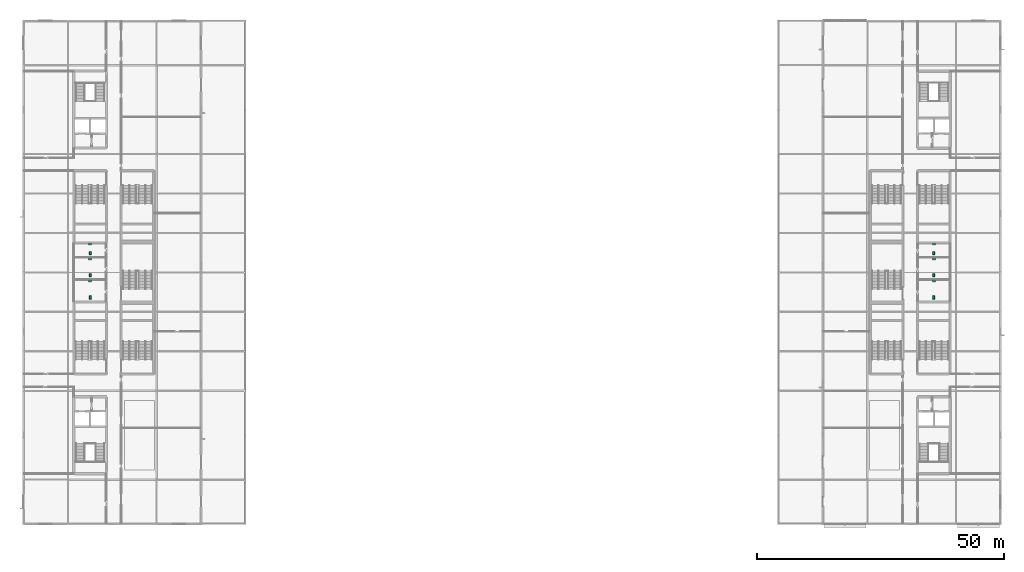
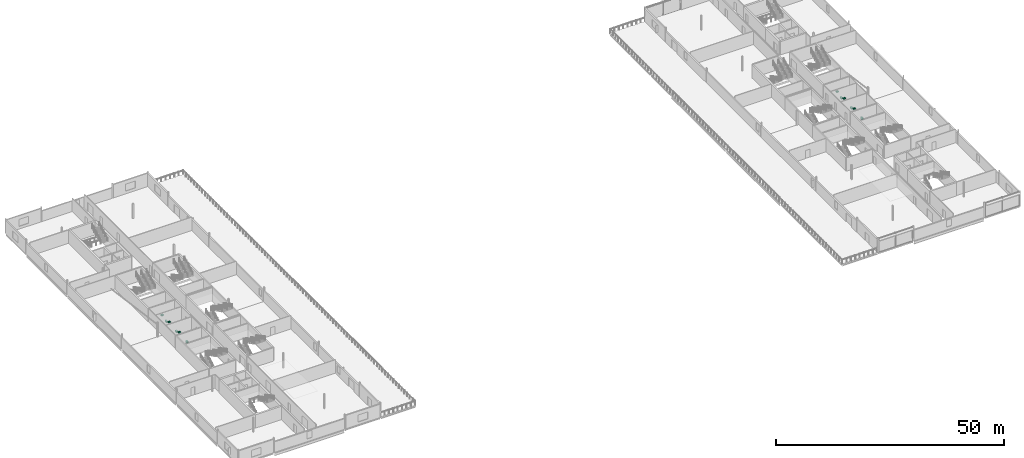
# One storey, part 55 of 55: 12 sanitary terminals.
"""IFC4 building model written with IfcOpenShell, lengths in metres."""

from ifc_helpers import new_model, si_unit, direction, frame, origin, origin_2d, place, context, subcontext, project, spatial, rectangle, extrude, material, type_object, element, save


model = new_model("IFC4")

# Units and contexts
model_context = context("Model", 3, precision=1e-05, world=origin(), true_north=direction((0.0, 1.0)))
body_context = subcontext(model_context, "Body", "Model", "MODEL_VIEW")
ifc_project = project(units=[si_unit("LENGTHUNIT", "METRE"), si_unit("AREAUNIT", "SQUARE_METRE"), si_unit("VOLUMEUNIT", "CUBIC_METRE"), si_unit("PLANEANGLEUNIT", "RADIAN"), si_unit("MASSUNIT", "GRAM", prefix="KILO")], contexts=[model_context])

# Site, building, storey
site_placement = place(None, origin())
site = spatial("IfcSite", under=ifc_project, at=site_placement, CompositionType="ELEMENT")
building_placement = place(site_placement, origin())
building = spatial("IfcBuilding", under=site, at=building_placement, Name="Kisiwana Market Hall", CompositionType="ELEMENT")
storey_placement = place(building_placement, frame((0.0, 0.0, 37.800048828125)))
storey = spatial("IfcBuildingStorey", under=building, at=storey_placement, Name="L08", CompositionType="ELEMENT", Elevation=37.800048828125)

# Sanitary terminals
ifc_material_1 = material(Name="Vitreous china")
sanitary_terminal_type_1 = type_object("IfcSanitaryTerminalType", Name="SAN-BASIN", PredefinedType="WASHHANDBASIN", material=ifc_material_1)
for number, where, z_axis, x_axis, name in (
    (1, (13.5, 58.25, 0.68017578125), (0.0, 0.0, 1.0), (1.0, 0.0, 0.0), "Washhand basin L08-0055"),
    (2, (13.5, 62.75, 0.68017578125), (0.0, 0.0, 1.0), (1.0, 0.0, 0.0), "Washhand basin L08-0056"),
    (3, (13.5, 65.75, 0.68017578125), (0.0, 0.0, 1.0), (1.0, 0.0, 0.0), "Washhand basin L08-0057"),
    (4, (184.5, 58.25, 0.68017578125), (0.0, 0.0, 1.0), (1.0, 0.0, 0.0), "Washhand basin L08-0058"),
    (5, (184.5, 62.75, 0.68017578125), (0.0, 0.0, 1.0), (1.0, 0.0, 0.0), "Washhand basin L08-0059"),
    (6, (184.5, 65.75, 0.68017578125), (0.0, 0.0, 1.0), (1.0, 0.0, 0.0), "Washhand basin L08-0060"),
):
    element("IfcSanitaryTerminal", number, at=place(storey_placement, frame(where, z_axis=z_axis, x_axis=x_axis)), inside=storey, type_object=sanitary_terminal_type_1, Name=name, PredefinedType="WASHHANDBASIN", context=body_context, shape_type="SweptSolid", body=[
        extrude(rectangle(XDim=0.550048828125, YDim=0.449951171875, at=origin_2d()), origin(), (0.0, 0.0, 1.0), 0.199951171875),
    ])
ifc_material_2 = material(Name="Vitreous china")
sanitary_terminal_type_2 = type_object("IfcSanitaryTerminalType", Name="SAN-WC-PAN", PredefinedType="TOILETPAN", material=ifc_material_2)
for number, where, z_axis, x_axis, name in (
    (7, (13.5, 54.89990234375, 0.0), (0.0, 0.0, 1.0), (1.0, 0.0, 0.0), "WC pan L08-0055"),
    (8, (13.5, 59.39990234375, 0.0), (0.0, 0.0, 1.0), (1.0, 0.0, 0.0), "WC pan L08-0056"),
    (9, (13.5, 63.89990234375, 0.0), (0.0, 0.0, 1.0), (1.0, 0.0, 0.0), "WC pan L08-0057"),
    (10, (184.5, 54.89990234375, 0.0), (0.0, 0.0, 1.0), (1.0, 0.0, 0.0), "WC pan L08-0058"),
    (11, (184.5, 59.39990234375, 0.0), (0.0, 0.0, 1.0), (1.0, 0.0, 0.0), "WC pan L08-0059"),
    (12, (184.5, 63.89990234375, 0.0), (0.0, 0.0, 1.0), (1.0, 0.0, 0.0), "WC pan L08-0060"),
):
    element("IfcSanitaryTerminal", number, at=place(storey_placement, frame(where, z_axis=z_axis, x_axis=x_axis)), inside=storey, type_object=sanitary_terminal_type_2, Name=name, PredefinedType="TOILETPAN", context=body_context, shape_type="SweptSolid", body=[
        extrude(rectangle(XDim=0.39990234375, YDim=0.64990234375, at=origin_2d()), origin(), (0.0, 0.0, 1.0), 0.419921875),
    ])

save(model, "model.ifc")
